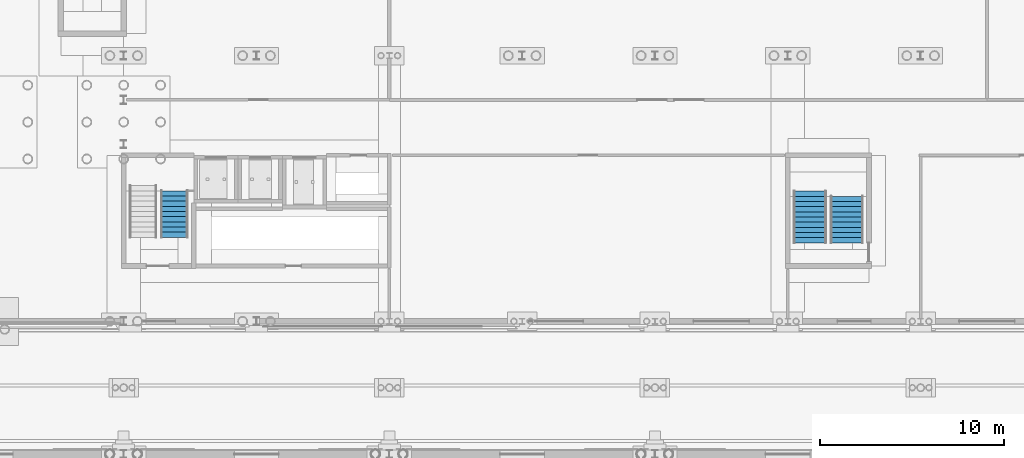
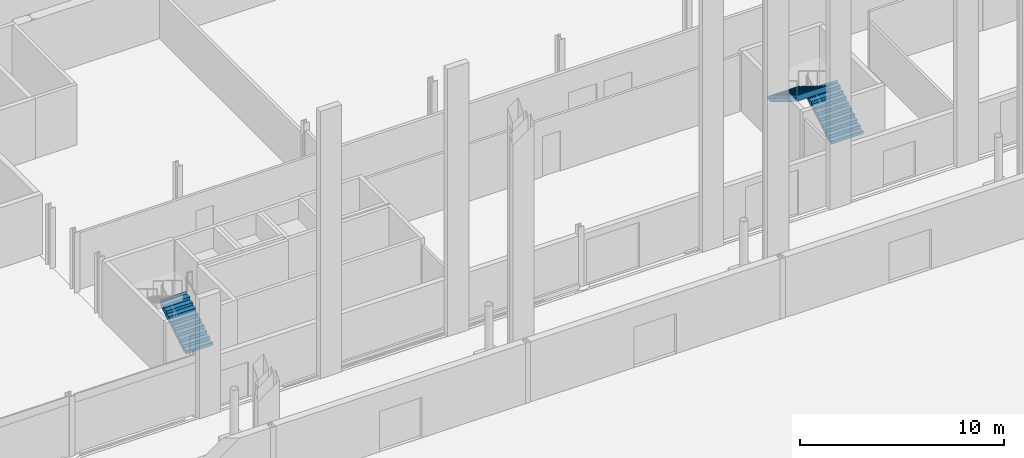
# One storey, part 106 of 148: 3 stair flights, 2 elements without a shape of their own.
"""IFC4 building model written with IfcOpenShell, lengths in metres."""

from ifc_helpers import new_model, si_unit, direction, frame, origin, place, context, subcontext, project, spatial, polyline, outline, extrude, material, type_object, element, aggregate, save


model = new_model("IFC4")

# Units and contexts
model_context = context("Model", 3, precision=1e-05, world=origin(), true_north=direction((0.0, 1.0)))
body_context = subcontext(model_context, "Body", "Model", "MODEL_VIEW")
ifc_project = project(units=[si_unit("LENGTHUNIT", "METRE"), si_unit("AREAUNIT", "SQUARE_METRE"), si_unit("VOLUMEUNIT", "CUBIC_METRE"), si_unit("PLANEANGLEUNIT", "RADIAN"), si_unit("MASSUNIT", "GRAM", prefix="KILO")], contexts=[model_context])

# Site, building, storey
site_placement = place(None, origin())
site = spatial("IfcSite", under=ifc_project, at=site_placement, CompositionType="ELEMENT")
building_placement = place(site_placement, origin())
building = spatial("IfcBuilding", under=site, at=building_placement, Name="Kupolbacken Congress Centre", CompositionType="ELEMENT")
storey_placement = place(building_placement, origin())
storey = spatial("IfcBuildingStorey", under=building, at=storey_placement, Name="L00", CompositionType="ELEMENT", Elevation=0.0)

# Stair, stair flight
ifc_material_1 = material(Name="Steel S355", Category="steel")
stair_type_1 = type_object("IfcStairType", Name="ST2 stair 1500", PredefinedType="TWO_STRAIGHT_RUN_STAIR", material=ifc_material_1)
stair_1_placement = place(storey_placement, origin())
stair_1 = element("IfcStair", 1, at=stair_1_placement, inside=storey, type_object=stair_type_1, Name="C/stair/BS1/L00", PredefinedType="NOTDEFINED")
ifc_material_2 = material(Name="Steel S355", Category="steel")
stair_flight_type_1 = type_object("IfcStairFlightType", Name="FL3 stair flight 1500 x 10 risers", PredefinedType="STRAIGHT", material=ifc_material_2)
stair_flight_1_placement = place(storey_placement, frame((139.550048828125, 126.955078125, 0.0), z_axis=(0.0, 0.0, 1.0), x_axis=(0.0, 1.0, 0.0)))
stair_flight_1 = element("IfcStairFlight", 2, at=stair_flight_1_placement, type_object=stair_flight_type_1, Name="BS1 flight 1", NumberOfRisers=10, NumberOfTreads=9, PredefinedType="STRAIGHT", RiserHeight=0.171428571, TreadLength=0.28, context=body_context, shape_type="SweptSolid", body=[
    extrude(outline(polyline([(0.0, 0.0), (0.0, 0.0009765625), (0.0, 0.002197265625), (0.0, 0.003173828125), (0.0, 0.004150390625), (0.0, 0.00537109375), (0.0, 0.00634765625), (0.0, 0.007568359375), (0.0, 0.008544921875), (0.0, 0.009521484375), (0.0, 0.0107421875), (0.0, 0.01171875), (0.0, 0.0126953125), (0.0, 0.013916015625), (0.0, 0.014892578125), (0.0, 0.015869140625), (0.0, 0.01708984375), (0.0, 0.01806640625), (0.0, 0.019287109375), (0.0, 0.020263671875), (0.0, 0.021240234375), (0.0, 0.0224609375), (0.0, 0.0234375), (0.0, 0.0244140625), (0.0, 0.025634765625), (0.0, 0.026611328125), (0.0, 0.027587890625), (0.0, 0.02880859375), (0.0, 0.02978515625), (0.0, 0.03076171875), (0.0, 0.031982421875), (0.0, 0.032958984375), (0.0, 0.0341796875), (0.0, 0.03515625), (0.0, 0.0361328125), (0.0, 0.037353515625), (0.0, 0.038330078125), (0.0, 0.039306640625), (0.0, 0.04052734375), (0.0, 0.04150390625), (0.0, 0.04248046875), (0.0, 0.043701171875), (0.0, 0.044677734375), (0.0, 0.0458984375), (0.0, 0.046875), (0.0, 0.0478515625), (0.0, 0.049072265625), (0.0, 0.050048828125), (0.0, 0.051025390625), (0.0, 0.05224609375), (0.0, 0.05322265625), (0.0, 0.05419921875), (0.0, 0.055419921875), (0.0, 0.056396484375), (0.0, 0.0576171875), (0.0, 0.05859375), (0.0, 0.0595703125), (0.0, 0.060791015625), (0.0, 0.061767578125), (0.0, 0.062744140625), (0.0, 0.06396484375), (0.0, 0.06494140625), (0.0, 0.06591796875), (0.0, 0.067138671875), (0.0, 0.068115234375), (0.0, 0.069091796875), (0.0, 0.0703125), (0.0, 0.0712890625), (0.0, 0.072509765625), (0.0, 0.073486328125), (0.0, 0.074462890625), (0.0, 0.07568359375), (0.0, 0.07666015625), (0.0, 0.07763671875), (0.0, 0.078857421875), (0.0, 0.079833984375), (0.0, 0.080810546875), (0.0, 0.08203125), (0.0, 0.0830078125), (0.0, 0.084228515625), (0.0, 0.085205078125), (0.0, 0.086181640625), (0.0, 0.08740234375), (0.0, 0.08837890625), (0.0, 0.08935546875), (0.0, 0.090576171875), (0.0, 0.091552734375), (0.0, 0.092529296875), (0.0, 0.09375), (0.0, 0.0947265625), (0.0, 0.095947265625), (0.0, 0.096923828125), (0.0, 0.097900390625), (0.0, 0.09912109375), (0.0, 0.10009765625), (0.0, 0.10107421875), (0.0, 0.102294921875), (0.0, 0.103271484375), (0.0, 0.104248046875), (0.0, 0.10546875), (0.0, 0.1064453125), (0.0, 0.107421875), (0.0, 0.108642578125), (0.0, 0.109619140625), (0.0, 0.11083984375), (0.0, 0.11181640625), (0.0, 0.11279296875), (0.0, 0.114013671875), (0.0, 0.114990234375), (0.0, 0.115966796875), (0.0, 0.1171875), (0.0, 0.1181640625), (0.0, 0.119140625), (0.0, 0.120361328125), (0.0, 0.121337890625), (0.0, 0.12255859375), (0.0, 0.12353515625), (0.0, 0.12451171875), (0.0, 0.125732421875), (0.0, 0.126708984375), (0.0, 0.127685546875), (0.0, 0.12890625), (0.0, 0.1298828125), (0.0, 0.130859375), (0.0, 0.132080078125), (0.0, 0.133056640625), (0.0, 0.13427734375), (0.0, 0.13525390625), (0.0, 0.13623046875), (0.0, 0.137451171875), (0.0, 0.138427734375), (0.0, 0.139404296875), (0.0, 0.140625), (0.0, 0.1416015625), (0.0, 0.142578125), (0.0, 0.143798828125), (0.0, 0.144775390625), (0.0, 0.145751953125), (0.0, 0.14697265625), (0.0, 0.14794921875), (0.0, 0.149169921875), (0.0, 0.150146484375), (0.0, 0.151123046875), (0.0, 0.15234375), (0.0, 0.1533203125), (0.0, 0.154296875), (0.0, 0.155517578125), (0.0, 0.156494140625), (0.0, 0.157470703125), (0.0, 0.15869140625), (0.0, 0.15966796875), (0.0, 0.160888671875), (0.0, 0.161865234375), (0.0, 0.162841796875), (0.0, 0.1640625), (0.0, 0.1650390625), (0.0, 0.166015625), (0.0, 0.167236328125), (0.0, 0.168212890625), (0.0, 0.169189453125), (0.0, 0.17041015625), (0.0, 0.17138671875), (0.280029296875, 0.17138671875), (0.280029296875, 0.3427734375), (0.56005859375, 0.3427734375), (0.56005859375, 0.514404296875), (0.840087890625, 0.514404296875), (0.840087890625, 0.685791015625), (1.1201171875, 0.685791015625), (1.1201171875, 0.857177734375), (1.39990234375, 0.857177734375), (1.39990234375, 1.028564453125), (1.679931640625, 1.028564453125), (1.679931640625, 1.199951171875), (1.9599609375, 1.199951171875), (1.9599609375, 1.371337890625), (2.239990234375, 1.371337890625), (2.239990234375, 1.54296875), (2.52001953125, 1.54296875), (2.52001953125, 1.71435546875), (2.52197265625, 1.71435546875), (2.52197265625, 1.712158203125), (2.52197265625, 1.7099609375), (2.52197265625, 1.707763671875), (2.52197265625, 1.70556640625), (2.52197265625, 1.70361328125), (2.52197265625, 1.701416015625), (2.52197265625, 1.69921875), (2.52197265625, 1.697021484375), (2.52197265625, 1.69482421875), (2.52197265625, 1.692626953125), (2.52197265625, 1.690673828125), (2.52197265625, 1.6884765625), (2.52197265625, 1.686279296875), (2.52197265625, 1.68408203125), (2.52197265625, 1.681884765625), (2.52197265625, 1.6796875), (2.52197265625, 1.677734375), (2.52197265625, 1.675537109375), (2.52197265625, 1.67333984375), (2.52197265625, 1.671142578125), (2.52197265625, 1.6689453125), (2.52197265625, 1.666748046875), (2.52197265625, 1.664794921875), (2.52197265625, 1.66259765625), (2.52197265625, 1.660400390625), (2.52197265625, 1.658203125), (2.52197265625, 1.656005859375), (2.52197265625, 1.65380859375), (2.52197265625, 1.65185546875), (2.52197265625, 1.649658203125), (2.52197265625, 1.6474609375), (2.52197265625, 1.645263671875), (2.52197265625, 1.64306640625), (2.52197265625, 1.640869140625), (2.52197265625, 1.638916015625), (2.52197265625, 1.63671875), (2.52197265625, 1.634521484375), (2.52197265625, 1.63232421875), (2.52197265625, 1.630126953125), (2.52197265625, 1.6279296875), (2.52197265625, 1.6259765625), (2.52197265625, 1.623779296875), (2.52197265625, 1.62158203125), (2.52197265625, 1.619384765625), (2.52197265625, 1.6171875), (2.52197265625, 1.614990234375), (2.52197265625, 1.613037109375), (2.52197265625, 1.61083984375), (2.52197265625, 1.608642578125), (2.52197265625, 1.6064453125), (2.52197265625, 1.604248046875), (2.52197265625, 1.60205078125), (2.52197265625, 1.60009765625), (2.52197265625, 1.597900390625), (2.52197265625, 1.595703125), (2.52197265625, 1.593505859375), (2.52197265625, 1.59130859375), (2.52197265625, 1.589111328125), (2.52197265625, 1.587158203125), (2.52197265625, 1.5849609375), (2.52197265625, 1.582763671875), (2.52197265625, 1.58056640625), (2.52197265625, 1.578369140625), (2.52197265625, 1.576171875), (2.52197265625, 1.57421875), (2.52197265625, 1.572021484375), (2.52197265625, 1.56982421875), (2.52197265625, 1.567626953125), (2.52197265625, 1.5654296875), (2.52197265625, 1.563232421875), (2.52197265625, 1.561279296875), (2.52197265625, 1.55908203125), (2.52197265625, 1.556884765625), (2.52197265625, 1.5546875), (2.52197265625, 1.552490234375), (2.52197265625, 1.55029296875), (2.52197265625, 1.54833984375), (2.52197265625, 1.546142578125), (2.52197265625, 1.5439453125), (2.52197265625, 1.541748046875), (2.52197265625, 1.53955078125), (2.52197265625, 1.537353515625), (2.52197265625, 1.535400390625), (2.52197265625, 1.533203125), (2.52197265625, 1.531005859375), (2.52197265625, 1.52880859375), (2.52197265625, 1.526611328125), (2.52197265625, 1.5244140625), (2.52197265625, 1.5224609375), (2.52197265625, 1.520263671875), (2.52197265625, 1.51806640625), (2.52197265625, 1.515869140625), (2.52197265625, 1.513671875), (2.52197265625, 1.511474609375), (2.52197265625, 1.509521484375), (2.52197265625, 1.50732421875), (2.52197265625, 1.505126953125), (2.52197265625, 1.5029296875), (2.52197265625, 1.500732421875), (2.52197265625, 1.49853515625), (2.52197265625, 1.49658203125), (2.52197265625, 1.494384765625), (2.52197265625, 1.4921875), (2.52197265625, 1.489990234375), (2.52197265625, 1.48779296875), (2.52197265625, 1.485595703125), (2.52197265625, 1.483642578125), (2.52197265625, 1.4814453125), (2.52197265625, 1.479248046875), (2.52197265625, 1.47705078125), (2.52197265625, 1.474853515625), (2.52197265625, 1.47265625), (2.52197265625, 1.470703125), (2.52197265625, 1.468505859375), (2.52197265625, 1.46630859375), (2.52197265625, 1.464111328125), (2.52197265625, 1.4619140625), (2.52197265625, 1.459716796875), (2.52197265625, 1.457763671875), (2.52197265625, 1.45556640625), (2.52197265625, 1.453369140625), (2.52197265625, 1.451171875), (2.52197265625, 1.448974609375), (2.52197265625, 1.44677734375), (2.52197265625, 1.44482421875), (2.52197265625, 1.442626953125), (2.52197265625, 1.4404296875), (2.52197265625, 1.438232421875), (2.52197265625, 1.43603515625), (2.52197265625, 1.433837890625), (2.52197265625, 1.431884765625), (2.52197265625, 1.4296875), (2.52197265625, 1.427490234375), (2.52197265625, 1.42529296875), (2.52197265625, 1.423095703125), (2.52197265625, 1.4208984375), (2.52197265625, 1.4189453125), (2.52197265625, 1.416748046875), (2.52197265625, 1.41455078125), (2.52197265625, 1.412353515625), (2.52197265625, 1.41015625), (2.52197265625, 1.407958984375), (2.52197265625, 1.406005859375), (2.52197265625, 1.40380859375), (2.52197265625, 1.401611328125), (2.52197265625, 1.3994140625), (2.52197265625, 1.397216796875), (2.52197265625, 1.39501953125), (2.52197265625, 1.39306640625), (2.52197265625, 1.390869140625), (2.52197265625, 1.388671875), (2.52197265625, 1.386474609375), (2.52197265625, 1.38427734375), (2.52197265625, 1.382080078125), (2.52197265625, 1.380126953125), (2.52197265625, 1.3779296875), (2.52197265625, 1.375732421875), (2.52197265625, 1.37353515625), (2.52197265625, 1.371337890625), (2.52197265625, 1.369140625), (2.52197265625, 1.3671875), (0.2890625, 0.0), (0.0, 0.0)])), frame((0.0, 0.75, 0.0), z_axis=(0.0, -1.0, 0.0), x_axis=(1.0, 0.0, 0.0)), (0.0, 0.0, 1.0), 1.5),
])
aggregate(stair_1, [stair_flight_1])

# Stair, stair flights
ifc_material_3 = material(Name="Steel S355", Category="steel")
stair_type_2 = type_object("IfcStairType", Name="ST3 stair 1800", PredefinedType="TWO_STRAIGHT_RUN_STAIR", material=ifc_material_3)
stair_2_placement = place(storey_placement, origin())
stair_2 = element("IfcStair", 3, at=stair_2_placement, inside=storey, type_object=stair_type_2, Name="C/stair/BS4/L00", PredefinedType="NOTDEFINED")
ifc_material_4 = material(Name="Steel S355", Category="steel")
stair_flight_type_2 = type_object("IfcStairFlightType", Name="FL5 stair flight 1800 x 10 risers", PredefinedType="STRAIGHT", material=ifc_material_4)
stair_flight_2_placement = place(storey_placement, frame((176.0, 126.655029296875, 0.0), z_axis=(0.0, 0.0, 1.0), x_axis=(0.0, 1.0, 0.0)))
stair_flight_2 = element("IfcStairFlight", 4, at=stair_flight_2_placement, type_object=stair_flight_type_2, Name="BS4 flight 1", NumberOfRisers=10, NumberOfTreads=9, PredefinedType="STRAIGHT", RiserHeight=0.171428571, TreadLength=0.28, context=body_context, shape_type="SweptSolid", body=[
    extrude(outline(polyline([(0.0, 0.0), (0.0, 0.0009765625), (0.0, 0.002197265625), (0.0, 0.003173828125), (0.0, 0.004150390625), (0.0, 0.00537109375), (0.0, 0.00634765625), (0.0, 0.007568359375), (0.0, 0.008544921875), (0.0, 0.009521484375), (0.0, 0.0107421875), (0.0, 0.01171875), (0.0, 0.0126953125), (0.0, 0.013916015625), (0.0, 0.014892578125), (0.0, 0.015869140625), (0.0, 0.01708984375), (0.0, 0.01806640625), (0.0, 0.019287109375), (0.0, 0.020263671875), (0.0, 0.021240234375), (0.0, 0.0224609375), (0.0, 0.0234375), (0.0, 0.0244140625), (0.0, 0.025634765625), (0.0, 0.026611328125), (0.0, 0.027587890625), (0.0, 0.02880859375), (0.0, 0.02978515625), (0.0, 0.03076171875), (0.0, 0.031982421875), (0.0, 0.032958984375), (0.0, 0.0341796875), (0.0, 0.03515625), (0.0, 0.0361328125), (0.0, 0.037353515625), (0.0, 0.038330078125), (0.0, 0.039306640625), (0.0, 0.04052734375), (0.0, 0.04150390625), (0.0, 0.04248046875), (0.0, 0.043701171875), (0.0, 0.044677734375), (0.0, 0.0458984375), (0.0, 0.046875), (0.0, 0.0478515625), (0.0, 0.049072265625), (0.0, 0.050048828125), (0.0, 0.051025390625), (0.0, 0.05224609375), (0.0, 0.05322265625), (0.0, 0.05419921875), (0.0, 0.055419921875), (0.0, 0.056396484375), (0.0, 0.0576171875), (0.0, 0.05859375), (0.0, 0.0595703125), (0.0, 0.060791015625), (0.0, 0.061767578125), (0.0, 0.062744140625), (0.0, 0.06396484375), (0.0, 0.06494140625), (0.0, 0.06591796875), (0.0, 0.067138671875), (0.0, 0.068115234375), (0.0, 0.069091796875), (0.0, 0.0703125), (0.0, 0.0712890625), (0.0, 0.072509765625), (0.0, 0.073486328125), (0.0, 0.074462890625), (0.0, 0.07568359375), (0.0, 0.07666015625), (0.0, 0.07763671875), (0.0, 0.078857421875), (0.0, 0.079833984375), (0.0, 0.080810546875), (0.0, 0.08203125), (0.0, 0.0830078125), (0.0, 0.084228515625), (0.0, 0.085205078125), (0.0, 0.086181640625), (0.0, 0.08740234375), (0.0, 0.08837890625), (0.0, 0.08935546875), (0.0, 0.090576171875), (0.0, 0.091552734375), (0.0, 0.092529296875), (0.0, 0.09375), (0.0, 0.0947265625), (0.0, 0.095947265625), (0.0, 0.096923828125), (0.0, 0.097900390625), (0.0, 0.09912109375), (0.0, 0.10009765625), (0.0, 0.10107421875), (0.0, 0.102294921875), (0.0, 0.103271484375), (0.0, 0.104248046875), (0.0, 0.10546875), (0.0, 0.1064453125), (0.0, 0.107421875), (0.0, 0.108642578125), (0.0, 0.109619140625), (0.0, 0.11083984375), (0.0, 0.11181640625), (0.0, 0.11279296875), (0.0, 0.114013671875), (0.0, 0.114990234375), (0.0, 0.115966796875), (0.0, 0.1171875), (0.0, 0.1181640625), (0.0, 0.119140625), (0.0, 0.120361328125), (0.0, 0.121337890625), (0.0, 0.12255859375), (0.0, 0.12353515625), (0.0, 0.12451171875), (0.0, 0.125732421875), (0.0, 0.126708984375), (0.0, 0.127685546875), (0.0, 0.12890625), (0.0, 0.1298828125), (0.0, 0.130859375), (0.0, 0.132080078125), (0.0, 0.133056640625), (0.0, 0.13427734375), (0.0, 0.13525390625), (0.0, 0.13623046875), (0.0, 0.137451171875), (0.0, 0.138427734375), (0.0, 0.139404296875), (0.0, 0.140625), (0.0, 0.1416015625), (0.0, 0.142578125), (0.0, 0.143798828125), (0.0, 0.144775390625), (0.0, 0.145751953125), (0.0, 0.14697265625), (0.0, 0.14794921875), (0.0, 0.149169921875), (0.0, 0.150146484375), (0.0, 0.151123046875), (0.0, 0.15234375), (0.0, 0.1533203125), (0.0, 0.154296875), (0.0, 0.155517578125), (0.0, 0.156494140625), (0.0, 0.157470703125), (0.0, 0.15869140625), (0.0, 0.15966796875), (0.0, 0.160888671875), (0.0, 0.161865234375), (0.0, 0.162841796875), (0.0, 0.1640625), (0.0, 0.1650390625), (0.0, 0.166015625), (0.0, 0.167236328125), (0.0, 0.168212890625), (0.0, 0.169189453125), (0.0, 0.17041015625), (0.0, 0.17138671875), (0.280029296875, 0.17138671875), (0.280029296875, 0.3427734375), (0.56005859375, 0.3427734375), (0.56005859375, 0.514404296875), (0.840087890625, 0.514404296875), (0.840087890625, 0.685791015625), (1.1201171875, 0.685791015625), (1.1201171875, 0.857177734375), (1.39990234375, 0.857177734375), (1.39990234375, 1.028564453125), (1.679931640625, 1.028564453125), (1.679931640625, 1.199951171875), (1.9599609375, 1.199951171875), (1.9599609375, 1.371337890625), (2.239990234375, 1.371337890625), (2.239990234375, 1.54296875), (2.52001953125, 1.54296875), (2.52001953125, 1.71435546875), (2.52197265625, 1.71435546875), (2.52197265625, 1.712158203125), (2.52197265625, 1.7099609375), (2.52197265625, 1.707763671875), (2.52197265625, 1.70556640625), (2.52197265625, 1.70361328125), (2.52197265625, 1.701416015625), (2.52197265625, 1.69921875), (2.52197265625, 1.697021484375), (2.52197265625, 1.69482421875), (2.52197265625, 1.692626953125), (2.52197265625, 1.690673828125), (2.52197265625, 1.6884765625), (2.52197265625, 1.686279296875), (2.52197265625, 1.68408203125), (2.52197265625, 1.681884765625), (2.52197265625, 1.6796875), (2.52197265625, 1.677734375), (2.52197265625, 1.675537109375), (2.52197265625, 1.67333984375), (2.52197265625, 1.671142578125), (2.52197265625, 1.6689453125), (2.52197265625, 1.666748046875), (2.52197265625, 1.664794921875), (2.52197265625, 1.66259765625), (2.52197265625, 1.660400390625), (2.52197265625, 1.658203125), (2.52197265625, 1.656005859375), (2.52197265625, 1.65380859375), (2.52197265625, 1.65185546875), (2.52197265625, 1.649658203125), (2.52197265625, 1.6474609375), (2.52197265625, 1.645263671875), (2.52197265625, 1.64306640625), (2.52197265625, 1.640869140625), (2.52197265625, 1.638916015625), (2.52197265625, 1.63671875), (2.52197265625, 1.634521484375), (2.52197265625, 1.63232421875), (2.52197265625, 1.630126953125), (2.52197265625, 1.6279296875), (2.52197265625, 1.6259765625), (2.52197265625, 1.623779296875), (2.52197265625, 1.62158203125), (2.52197265625, 1.619384765625), (2.52197265625, 1.6171875), (2.52197265625, 1.614990234375), (2.52197265625, 1.613037109375), (2.52197265625, 1.61083984375), (2.52197265625, 1.608642578125), (2.52197265625, 1.6064453125), (2.52197265625, 1.604248046875), (2.52197265625, 1.60205078125), (2.52197265625, 1.60009765625), (2.52197265625, 1.597900390625), (2.52197265625, 1.595703125), (2.52197265625, 1.593505859375), (2.52197265625, 1.59130859375), (2.52197265625, 1.589111328125), (2.52197265625, 1.587158203125), (2.52197265625, 1.5849609375), (2.52197265625, 1.582763671875), (2.52197265625, 1.58056640625), (2.52197265625, 1.578369140625), (2.52197265625, 1.576171875), (2.52197265625, 1.57421875), (2.52197265625, 1.572021484375), (2.52197265625, 1.56982421875), (2.52197265625, 1.567626953125), (2.52197265625, 1.5654296875), (2.52197265625, 1.563232421875), (2.52197265625, 1.561279296875), (2.52197265625, 1.55908203125), (2.52197265625, 1.556884765625), (2.52197265625, 1.5546875), (2.52197265625, 1.552490234375), (2.52197265625, 1.55029296875), (2.52197265625, 1.54833984375), (2.52197265625, 1.546142578125), (2.52197265625, 1.5439453125), (2.52197265625, 1.541748046875), (2.52197265625, 1.53955078125), (2.52197265625, 1.537353515625), (2.52197265625, 1.535400390625), (2.52197265625, 1.533203125), (2.52197265625, 1.531005859375), (2.52197265625, 1.52880859375), (2.52197265625, 1.526611328125), (2.52197265625, 1.5244140625), (2.52197265625, 1.5224609375), (2.52197265625, 1.520263671875), (2.52197265625, 1.51806640625), (2.52197265625, 1.515869140625), (2.52197265625, 1.513671875), (2.52197265625, 1.511474609375), (2.52197265625, 1.509521484375), (2.52197265625, 1.50732421875), (2.52197265625, 1.505126953125), (2.52197265625, 1.5029296875), (2.52197265625, 1.500732421875), (2.52197265625, 1.49853515625), (2.52197265625, 1.49658203125), (2.52197265625, 1.494384765625), (2.52197265625, 1.4921875), (2.52197265625, 1.489990234375), (2.52197265625, 1.48779296875), (2.52197265625, 1.485595703125), (2.52197265625, 1.483642578125), (2.52197265625, 1.4814453125), (2.52197265625, 1.479248046875), (2.52197265625, 1.47705078125), (2.52197265625, 1.474853515625), (2.52197265625, 1.47265625), (2.52197265625, 1.470703125), (2.52197265625, 1.468505859375), (2.52197265625, 1.46630859375), (2.52197265625, 1.464111328125), (2.52197265625, 1.4619140625), (2.52197265625, 1.459716796875), (2.52197265625, 1.457763671875), (2.52197265625, 1.45556640625), (2.52197265625, 1.453369140625), (2.52197265625, 1.451171875), (2.52197265625, 1.448974609375), (2.52197265625, 1.44677734375), (2.52197265625, 1.44482421875), (2.52197265625, 1.442626953125), (2.52197265625, 1.4404296875), (2.52197265625, 1.438232421875), (2.52197265625, 1.43603515625), (2.52197265625, 1.433837890625), (2.52197265625, 1.431884765625), (2.52197265625, 1.4296875), (2.52197265625, 1.427490234375), (2.52197265625, 1.42529296875), (2.52197265625, 1.423095703125), (2.52197265625, 1.4208984375), (2.52197265625, 1.4189453125), (2.52197265625, 1.416748046875), (2.52197265625, 1.41455078125), (2.52197265625, 1.412353515625), (2.52197265625, 1.41015625), (2.52197265625, 1.407958984375), (2.52197265625, 1.406005859375), (2.52197265625, 1.40380859375), (2.52197265625, 1.401611328125), (2.52197265625, 1.3994140625), (2.52197265625, 1.397216796875), (2.52197265625, 1.39501953125), (2.52197265625, 1.39306640625), (2.52197265625, 1.390869140625), (2.52197265625, 1.388671875), (2.52197265625, 1.386474609375), (2.52197265625, 1.38427734375), (2.52197265625, 1.382080078125), (2.52197265625, 1.380126953125), (2.52197265625, 1.3779296875), (2.52197265625, 1.375732421875), (2.52197265625, 1.37353515625), (2.52197265625, 1.371337890625), (2.52197265625, 1.369140625), (2.52197265625, 1.3671875), (0.2890625, 0.0), (0.0, 0.0)])), frame((0.0, 0.89990234375, 0.0), z_axis=(0.0, -1.0, 0.0), x_axis=(1.0, 0.0, 0.0)), (0.0, 0.0, 1.0), 1.800048828125),
])
ifc_material_5 = material(Name="Steel S355", Category="steel")
stair_flight_type_3 = type_object("IfcStairFlightType", Name="FL6 stair flight 1800 x 11 risers", PredefinedType="STRAIGHT", material=ifc_material_5)
stair_flight_3_placement = place(storey_placement, frame((174.0, 129.455078125, 1.71435546875), z_axis=(0.0, 0.0, 1.0), x_axis=(0.0, -1.0, 0.0)))
stair_flight_3 = element("IfcStairFlight", 5, at=stair_flight_3_placement, type_object=stair_flight_type_3, Name="BS4 flight 2", NumberOfRisers=11, NumberOfTreads=10, PredefinedType="STRAIGHT", RiserHeight=0.171428571, TreadLength=0.28, context=body_context, shape_type="SweptSolid", body=[
    extrude(outline(polyline([(0.0, 0.0), (0.0, 0.0009765625), (0.0, 0.002197265625), (0.0, 0.003173828125), (0.0, 0.004150390625), (0.0, 0.00537109375), (0.0, 0.00634765625), (0.0, 0.007568359375), (0.0, 0.008544921875), (0.0, 0.009521484375), (0.0, 0.0107421875), (0.0, 0.01171875), (0.0, 0.0126953125), (0.0, 0.013916015625), (0.0, 0.014892578125), (0.0, 0.015869140625), (0.0, 0.01708984375), (0.0, 0.01806640625), (0.0, 0.019287109375), (0.0, 0.020263671875), (0.0, 0.021240234375), (0.0, 0.0224609375), (0.0, 0.0234375), (0.0, 0.0244140625), (0.0, 0.025634765625), (0.0, 0.026611328125), (0.0, 0.027587890625), (0.0, 0.02880859375), (0.0, 0.02978515625), (0.0, 0.03076171875), (0.0, 0.031982421875), (0.0, 0.032958984375), (0.0, 0.0341796875), (0.0, 0.03515625), (0.0, 0.0361328125), (0.0, 0.037353515625), (0.0, 0.038330078125), (0.0, 0.039306640625), (0.0, 0.04052734375), (0.0, 0.04150390625), (0.0, 0.04248046875), (0.0, 0.043701171875), (0.0, 0.044677734375), (0.0, 0.0458984375), (0.0, 0.046875), (0.0, 0.0478515625), (0.0, 0.049072265625), (0.0, 0.050048828125), (0.0, 0.051025390625), (0.0, 0.05224609375), (0.0, 0.05322265625), (0.0, 0.05419921875), (0.0, 0.055419921875), (0.0, 0.056396484375), (0.0, 0.0576171875), (0.0, 0.05859375), (0.0, 0.0595703125), (0.0, 0.060791015625), (0.0, 0.061767578125), (0.0, 0.062744140625), (0.0, 0.06396484375), (0.0, 0.06494140625), (0.0, 0.06591796875), (0.0, 0.067138671875), (0.0, 0.068115234375), (0.0, 0.069091796875), (0.0, 0.0703125), (0.0, 0.0712890625), (0.0, 0.072509765625), (0.0, 0.073486328125), (0.0, 0.074462890625), (0.0, 0.07568359375), (0.0, 0.07666015625), (0.0, 0.07763671875), (0.0, 0.078857421875), (0.0, 0.079833984375), (0.0, 0.080810546875), (0.0, 0.08203125), (0.0, 0.0830078125), (0.0, 0.084228515625), (0.0, 0.085205078125), (0.0, 0.086181640625), (0.0, 0.08740234375), (0.0, 0.08837890625), (0.0, 0.08935546875), (0.0, 0.090576171875), (0.0, 0.091552734375), (0.0, 0.092529296875), (0.0, 0.09375), (0.0, 0.0947265625), (0.0, 0.095947265625), (0.0, 0.096923828125), (0.0, 0.097900390625), (0.0, 0.09912109375), (0.0, 0.10009765625), (0.0, 0.10107421875), (0.0, 0.102294921875), (0.0, 0.103271484375), (0.0, 0.104248046875), (0.0, 0.10546875), (0.0, 0.1064453125), (0.0, 0.107421875), (0.0, 0.108642578125), (0.0, 0.109619140625), (0.0, 0.11083984375), (0.0, 0.11181640625), (0.0, 0.11279296875), (0.0, 0.114013671875), (0.0, 0.114990234375), (0.0, 0.115966796875), (0.0, 0.1171875), (0.0, 0.1181640625), (0.0, 0.119140625), (0.0, 0.120361328125), (0.0, 0.121337890625), (0.0, 0.12255859375), (0.0, 0.12353515625), (0.0, 0.12451171875), (0.0, 0.125732421875), (0.0, 0.126708984375), (0.0, 0.127685546875), (0.0, 0.12890625), (0.0, 0.1298828125), (0.0, 0.130859375), (0.0, 0.132080078125), (0.0, 0.133056640625), (0.0, 0.13427734375), (0.0, 0.13525390625), (0.0, 0.13623046875), (0.0, 0.137451171875), (0.0, 0.138427734375), (0.0, 0.139404296875), (0.0, 0.140625), (0.0, 0.1416015625), (0.0, 0.142578125), (0.0, 0.143798828125), (0.0, 0.144775390625), (0.0, 0.145751953125), (0.0, 0.14697265625), (0.0, 0.14794921875), (0.0, 0.149169921875), (0.0, 0.150146484375), (0.0, 0.151123046875), (0.0, 0.15234375), (0.0, 0.1533203125), (0.0, 0.154296875), (0.0, 0.155517578125), (0.0, 0.156494140625), (0.0, 0.157470703125), (0.0, 0.15869140625), (0.0, 0.15966796875), (0.0, 0.160888671875), (0.0, 0.161865234375), (0.0, 0.162841796875), (0.0, 0.1640625), (0.0, 0.1650390625), (0.0, 0.166015625), (0.0, 0.167236328125), (0.0, 0.168212890625), (0.0, 0.169189453125), (0.0, 0.17041015625), (0.0, 0.17138671875), (0.280029296875, 0.17138671875), (0.280029296875, 0.3427734375), (0.56005859375, 0.3427734375), (0.56005859375, 0.514404296875), (0.840087890625, 0.514404296875), (0.840087890625, 0.685791015625), (1.1201171875, 0.685791015625), (1.1201171875, 0.857177734375), (1.39990234375, 0.857177734375), (1.39990234375, 1.028564453125), (1.679931640625, 1.028564453125), (1.679931640625, 1.199951171875), (1.9599609375, 1.199951171875), (1.9599609375, 1.371337890625), (2.239990234375, 1.371337890625), (2.239990234375, 1.54296875), (2.52001953125, 1.54296875), (2.52001953125, 1.71435546875), (2.800048828125, 1.71435546875), (2.800048828125, 1.8857421875), (2.802001953125, 1.8857421875), (2.802001953125, 1.883544921875), (2.802001953125, 1.88134765625), (2.802001953125, 1.879150390625), (2.802001953125, 1.877197265625), (2.802001953125, 1.875), (2.802001953125, 1.872802734375), (2.802001953125, 1.87060546875), (2.802001953125, 1.868408203125), (2.802001953125, 1.8662109375), (2.802001953125, 1.8642578125), (2.802001953125, 1.862060546875), (2.802001953125, 1.85986328125), (2.802001953125, 1.857666015625), (2.802001953125, 1.85546875), (2.802001953125, 1.853271484375), (2.802001953125, 1.851318359375), (2.802001953125, 1.84912109375), (2.802001953125, 1.846923828125), (2.802001953125, 1.8447265625), (2.802001953125, 1.842529296875), (2.802001953125, 1.84033203125), (2.802001953125, 1.83837890625), (2.802001953125, 1.836181640625), (2.802001953125, 1.833984375), (2.802001953125, 1.831787109375), (2.802001953125, 1.82958984375), (2.802001953125, 1.827392578125), (2.802001953125, 1.825439453125), (2.802001953125, 1.8232421875), (2.802001953125, 1.821044921875), (2.802001953125, 1.81884765625), (2.802001953125, 1.816650390625), (2.802001953125, 1.814453125), (2.802001953125, 1.8125), (2.802001953125, 1.810302734375), (2.802001953125, 1.80810546875), (2.802001953125, 1.805908203125), (2.802001953125, 1.8037109375), (2.802001953125, 1.801513671875), (2.802001953125, 1.799560546875), (2.802001953125, 1.79736328125), (2.802001953125, 1.795166015625), (2.802001953125, 1.79296875), (2.802001953125, 1.790771484375), (2.802001953125, 1.78857421875), (2.802001953125, 1.78662109375), (2.802001953125, 1.784423828125), (2.802001953125, 1.7822265625), (2.802001953125, 1.780029296875), (2.802001953125, 1.77783203125), (2.802001953125, 1.775634765625), (2.802001953125, 1.773681640625), (2.802001953125, 1.771484375), (2.802001953125, 1.769287109375), (2.802001953125, 1.76708984375), (2.802001953125, 1.764892578125), (2.802001953125, 1.7626953125), (2.802001953125, 1.7607421875), (2.802001953125, 1.758544921875), (2.802001953125, 1.75634765625), (2.802001953125, 1.754150390625), (2.802001953125, 1.751953125), (2.802001953125, 1.749755859375), (2.802001953125, 1.747802734375), (2.802001953125, 1.74560546875), (2.802001953125, 1.743408203125), (2.802001953125, 1.7412109375), (2.802001953125, 1.739013671875), (2.802001953125, 1.73681640625), (2.802001953125, 1.73486328125), (2.802001953125, 1.732666015625), (2.802001953125, 1.73046875), (2.802001953125, 1.728271484375), (2.802001953125, 1.72607421875), (2.802001953125, 1.723876953125), (2.802001953125, 1.721923828125), (2.802001953125, 1.7197265625), (2.802001953125, 1.717529296875), (2.802001953125, 1.71533203125), (2.802001953125, 1.713134765625), (2.802001953125, 1.7109375), (2.802001953125, 1.708984375), (2.802001953125, 1.706787109375), (2.802001953125, 1.70458984375), (2.802001953125, 1.702392578125), (2.802001953125, 1.7001953125), (2.802001953125, 1.697998046875), (2.802001953125, 1.696044921875), (2.802001953125, 1.69384765625), (2.802001953125, 1.691650390625), (2.802001953125, 1.689453125), (2.802001953125, 1.687255859375), (2.802001953125, 1.68505859375), (2.802001953125, 1.68310546875), (2.802001953125, 1.680908203125), (2.802001953125, 1.6787109375), (2.802001953125, 1.676513671875), (2.802001953125, 1.67431640625), (2.802001953125, 1.672119140625), (2.802001953125, 1.670166015625), (2.802001953125, 1.66796875), (2.802001953125, 1.665771484375), (2.802001953125, 1.66357421875), (2.802001953125, 1.661376953125), (2.802001953125, 1.6591796875), (2.802001953125, 1.6572265625), (2.802001953125, 1.655029296875), (2.802001953125, 1.65283203125), (2.802001953125, 1.650634765625), (2.802001953125, 1.6484375), (2.802001953125, 1.646240234375), (2.802001953125, 1.644287109375), (2.802001953125, 1.64208984375), (2.802001953125, 1.639892578125), (2.802001953125, 1.6376953125), (2.802001953125, 1.635498046875), (2.802001953125, 1.63330078125), (2.802001953125, 1.63134765625), (2.802001953125, 1.629150390625), (2.802001953125, 1.626953125), (2.802001953125, 1.624755859375), (2.802001953125, 1.62255859375), (2.802001953125, 1.620361328125), (2.802001953125, 1.618408203125), (2.802001953125, 1.6162109375), (2.802001953125, 1.614013671875), (2.802001953125, 1.61181640625), (2.802001953125, 1.609619140625), (2.802001953125, 1.607421875), (2.802001953125, 1.60546875), (2.802001953125, 1.603271484375), (2.802001953125, 1.60107421875), (2.802001953125, 1.598876953125), (2.802001953125, 1.5966796875), (2.802001953125, 1.594482421875), (2.802001953125, 1.592529296875), (2.802001953125, 1.59033203125), (2.802001953125, 1.588134765625), (2.802001953125, 1.5859375), (2.802001953125, 1.583740234375), (2.802001953125, 1.58154296875), (2.802001953125, 1.57958984375), (2.802001953125, 1.577392578125), (2.802001953125, 1.5751953125), (2.802001953125, 1.572998046875), (2.802001953125, 1.57080078125), (2.802001953125, 1.568603515625), (2.802001953125, 1.566650390625), (2.802001953125, 1.564453125), (2.802001953125, 1.562255859375), (2.802001953125, 1.56005859375), (2.802001953125, 1.557861328125), (2.802001953125, 1.5556640625), (2.802001953125, 1.5537109375), (2.802001953125, 1.551513671875), (2.802001953125, 1.54931640625), (2.802001953125, 1.547119140625), (2.802001953125, 1.544921875), (2.802001953125, 1.542724609375), (2.802001953125, 1.540771484375), (2.802001953125, 1.53857421875), (0.2890625, 0.0), (0.0, 0.0)])), frame((0.0, 0.89990234375, 0.0), z_axis=(0.0, -1.0, 0.0), x_axis=(1.0, 0.0, 0.0)), (0.0, 0.0, 1.0), 1.800048828125),
])
aggregate(stair_2, [stair_flight_2, stair_flight_3])

save(model, "model.ifc")
